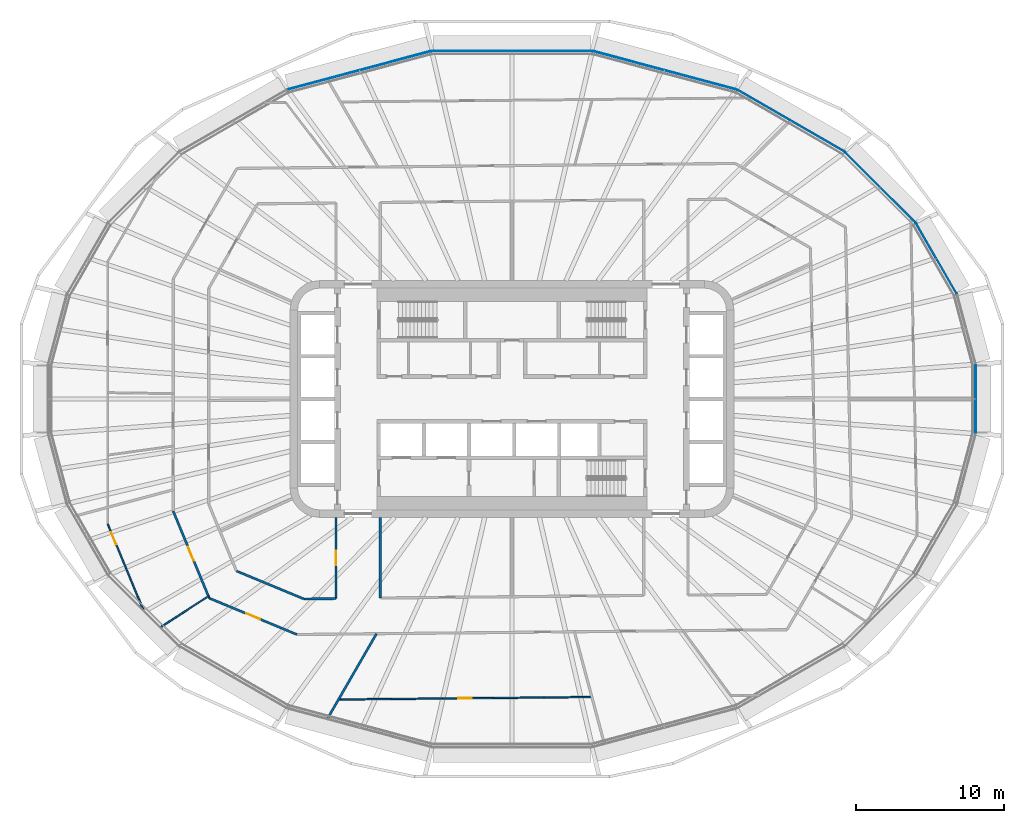
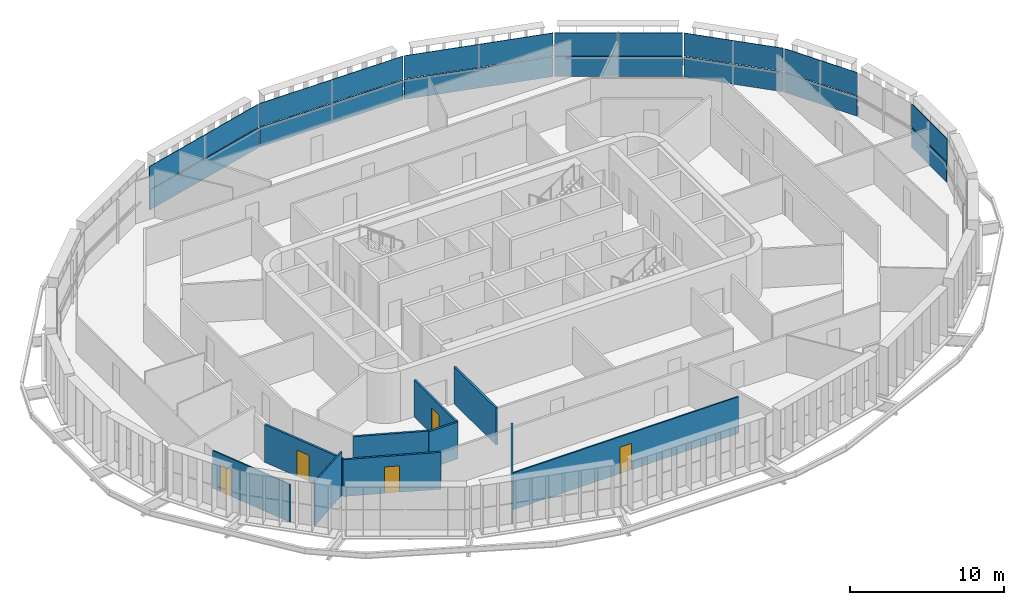
# One storey, part 11 of 23: 14 plates, 10 walls, 5 doors, 5 openings, 7 elements without a shape of their own.
"""IFC4 building model written with IfcOpenShell, lengths in metres."""

from ifc_helpers import new_model, si_unit, direction, frame, frame_2d, origin, place, context, subcontext, project, spatial, polyline, rectangle, outline, extrude, material, layer, layer_set, type_object, element, fill, aggregate, save


model = new_model("IFC4")

# Units and contexts
model_context = context("Model", 3, precision=1e-05, world=origin(), true_north=direction((0.0, 1.0)))
body_context = subcontext(model_context, "Body", "Model", "MODEL_VIEW")
ifc_project = project(units=[si_unit("LENGTHUNIT", "METRE"), si_unit("AREAUNIT", "SQUARE_METRE"), si_unit("VOLUMEUNIT", "CUBIC_METRE"), si_unit("PLANEANGLEUNIT", "RADIAN"), si_unit("MASSUNIT", "GRAM", prefix="KILO")], contexts=[model_context])

# Site, building, storey
site_placement = place(None, origin())
site = spatial("IfcSite", under=ifc_project, at=site_placement, CompositionType="ELEMENT")
building_placement = place(site_placement, origin())
building = spatial("IfcBuilding", under=site, at=building_placement, Name="Sahrelin Media Tower", CompositionType="ELEMENT")
storey_placement = place(building_placement, frame((0.0, 0.0, 161.60009765625)))
storey = spatial("IfcBuildingStorey", under=building, at=storey_placement, Name="L33", CompositionType="ELEMENT", Elevation=161.60009765625)

# Curtain wall, plate
ifc_material_1 = material(Name="Champagne anodised aluminium 6063-T6", Category="aluminium")
ifc_layer_1 = layer(ifc_material_1, 0.14990234375)
ifc_layer_set_1 = layer_set([ifc_layer_1], Name="Tower ribbon curtain wall")
curtain_wall_type = type_object("IfcCurtainWallType", Name="Tower ribbon curtain wall", PredefinedType="NOTDEFINED", material=ifc_layer_set_1)
curtain_wall_1_placement = place(storey_placement, frame((31.3515625, 0.0, 0.0), z_axis=(0.0, 0.0, 1.0), x_axis=(1.0, 0.0, 0.0)))
curtain_wall_1 = element("IfcCurtainWall", 1, at=curtain_wall_1_placement, inside=storey, type_object=curtain_wall_type, Name="L33:CW:L33-00", PredefinedType="NOTDEFINED")
ifc_material_2 = material(Name="Clear low-iron glazing", Category="glass")
ifc_layer_2 = layer(ifc_material_2, 0.0439453125)
ifc_layer_set_2 = layer_set([ifc_layer_2], Name="Glazing panel 44 mm CW1B")
plate_type_1 = type_object("IfcPlateType", Name="Glazing panel 44 mm CW1B", PredefinedType="CURTAIN_PANEL", material=ifc_layer_set_2)
plate_1_placement = place(storey_placement, frame((31.37158203125, -2.29296875, 1.6298828125), z_axis=(1.0, 0.0, 0.0), x_axis=(0.0, 1.0, 0.0)))
plate_1 = element("IfcPlate", 2, at=plate_1_placement, type_object=plate_type_1, Name="L33:CWP2:L33-00", PredefinedType="CURTAIN_PANEL", context=body_context, shape_type="SweptSolid", body=[
    extrude(outline(polyline([(0.0, 0.0), (4.5859375, 0.0), (4.5859375, 1.818603515625), (0.0, 1.818603515625), (0.0, 0.0)])), origin(), (0.0, 0.0, -1.0), 0.0439453125),
])

curtain_wall_2_placement = place(storey_placement, frame((28.689208984375, 9.490966796875, 0.0), z_axis=(0.0, 0.0, 1.0), x_axis=(1.0, 0.0, 0.0)))
curtain_wall_2 = element("IfcCurtainWall", 3, at=curtain_wall_2_placement, inside=storey, type_object=curtain_wall_type, Name="L33:CW:L33-02", PredefinedType="NOTDEFINED")
plate_2_placement = place(storey_placement, frame((30.075439453125, 7.1298828125, 1.6298828125), z_axis=(0.866034122891, 0.49998489776, 0.0), x_axis=(-0.49998489776, 0.866034122891, 0.0)))
plate_2 = element("IfcPlate", 4, at=plate_2_placement, type_object=plate_type_1, Name="L33:CWP2:L33-02", PredefinedType="CURTAIN_PANEL", context=body_context, shape_type="SweptSolid", body=[
    extrude(outline(polyline([(0.0, 0.0), (5.475830078125, 0.0), (5.475830078125, 1.818603515625), (0.0, 1.818603515625), (0.0, 0.0)])), origin(), (0.0, 0.0, -1.0), 0.0439453125),
])

curtain_wall_3_placement = place(storey_placement, frame((24.900634765625, 14.30029296875, 0.0), z_axis=(0.0, 0.0, 1.0), x_axis=(1.0, 0.0, 0.0)))
curtain_wall_3 = element("IfcCurtainWall", 5, at=curtain_wall_3_placement, inside=storey, type_object=curtain_wall_type, Name="L33:CW:L33-03", PredefinedType="NOTDEFINED")
plate_3_placement = place(storey_placement, frame((27.274169921875, 11.954833984375, 1.6298828125), z_axis=(0.707106781187, 0.707106781187, 0.0), x_axis=(-0.707106781187, 0.707106781187, 0.0)))
plate_3 = element("IfcPlate", 6, at=plate_3_placement, type_object=plate_type_1, Name="L33:CWP2:L33-03", PredefinedType="CURTAIN_PANEL", context=body_context, shape_type="SweptSolid", body=[
    extrude(outline(polyline([(0.0, 0.0), (6.67333984375, 0.0), (6.67333984375, 1.818603515625), (0.0, 1.818603515625), (0.0, 0.0)])), origin(), (0.0, 0.0, -1.0), 0.0439453125),
])

curtain_wall_4_placement = place(storey_placement, frame((18.85107421875, 18.804931640625, 0.0), z_axis=(0.0, 0.0, 1.0), x_axis=(1.0, 0.0, 0.0)))
curtain_wall_4 = element("IfcCurtainWall", 7, at=curtain_wall_4_placement, inside=storey, type_object=curtain_wall_type, Name="L33:CW:L33-04", PredefinedType="NOTDEFINED")
plate_4_placement = place(storey_placement, frame((22.472412109375, 16.7373046875, 1.6298828125), z_axis=(0.500002026074, 0.866024234027, 0.0), x_axis=(-0.866024234027, 0.500002026074, 0.0)))
plate_4 = element("IfcPlate", 8, at=plate_4_placement, type_object=plate_type_1, Name="L33:CWP2:L33-04", PredefinedType="CURTAIN_PANEL", context=body_context, shape_type="SweptSolid", body=[
    extrude(outline(polyline([(0.0, 0.0), (8.34033203125, 0.0), (8.34033203125, 1.818603515625), (0.0, 1.818603515625), (0.0, 0.0)])), origin(), (0.0, 0.0, -1.0), 0.0439453125),
])

curtain_wall_5_placement = place(storey_placement, frame((10.312255859375, 22.2236328125, 0.0), z_axis=(0.0, 0.0, 1.0), x_axis=(1.0, 0.0, 0.0)))
curtain_wall_5 = element("IfcCurtainWall", 9, at=curtain_wall_5_placement, inside=storey, type_object=curtain_wall_type, Name="L33:CW:L33-05", PredefinedType="NOTDEFINED")
plate_5_placement = place(storey_placement, frame((15.153076171875, 20.947509765625, 1.6298828125), z_axis=(0.258806775726, 0.965929113775, 0.0), x_axis=(-0.965929113775, 0.258806775726, 0.0)))
plate_5 = element("IfcPlate", 10, at=plate_5_placement, type_object=plate_type_1, Name="L33:CWP2:L33-05", PredefinedType="CURTAIN_PANEL", context=body_context, shape_type="SweptSolid", body=[
    extrude(outline(polyline([(0.0, 0.0), (10.012451171875, 0.0), (10.012451171875, 1.818603515625), (0.0, 1.818603515625), (0.0, 0.0)])), origin(), (0.0, 0.0, -1.0), 0.0439453125),
])

curtain_wall_6_placement = place(storey_placement, frame((0.0, 23.532470703125, 0.0), z_axis=(0.0, 0.0, 1.0), x_axis=(1.0, 0.0, 0.0)))
curtain_wall_6 = element("IfcCurtainWall", 11, at=curtain_wall_6_placement, inside=storey, type_object=curtain_wall_type, Name="L33:CW:L33-06", PredefinedType="NOTDEFINED")
plate_6_placement = place(storey_placement, frame((5.378173828125, 23.552490234375, 1.6298828125), z_axis=(0.0, 1.0, 0.0), x_axis=(-1.0, 0.0, 0.0)))
plate_6 = element("IfcPlate", 12, at=plate_6_placement, type_object=plate_type_1, Name="L33:CWP2:L33-06", PredefinedType="CURTAIN_PANEL", context=body_context, shape_type="SweptSolid", body=[
    extrude(outline(polyline([(0.0, 0.0), (10.75634765625, 0.0), (10.75634765625, 1.818603515625), (0.0, 1.818603515625), (0.0, 0.0)])), origin(), (0.0, 0.0, -1.0), 0.0439453125),
])

curtain_wall_7_placement = place(storey_placement, frame((-10.312255859375, 22.2236328125, 0.0), z_axis=(0.0, 0.0, 1.0), x_axis=(1.0, 0.0, 0.0)))
curtain_wall_7 = element("IfcCurtainWall", 13, at=curtain_wall_7_placement, inside=storey, type_object=curtain_wall_type, Name="L33:CW:L33-07", PredefinedType="NOTDEFINED")
plate_7_placement = place(storey_placement, frame((-5.481689453125, 23.538818359375, 1.6298828125), z_axis=(-0.258806775726, 0.965929113775, 0.0), x_axis=(-0.965929113775, -0.258806775726, 0.0)))
plate_7 = element("IfcPlate", 14, at=plate_7_placement, type_object=plate_type_1, Name="L33:CWP2:L33-07", PredefinedType="CURTAIN_PANEL", context=body_context, shape_type="SweptSolid", body=[
    extrude(outline(polyline([(0.0, 0.0), (10.012451171875, 0.0), (10.012451171875, 1.818603515625), (0.0, 1.818603515625), (0.0, 0.0)])), origin(), (0.0, 0.0, -1.0), 0.0439453125),
])

# Plate
ifc_material_3 = material(Name="Insulated spandrel panel")
ifc_layer_3 = layer(ifc_material_3, 0.06005859375)
ifc_layer_set_3 = layer_set([ifc_layer_3], Name="Spandrel panel 60 mm CW1")
plate_type_2 = type_object("IfcPlateType", Name="Spandrel panel 60 mm CW1", PredefinedType="SHEET", material=ifc_layer_set_3)
plate_8_placement = place(storey_placement, frame((31.37158203125, -2.29296875, 0.0), z_axis=(1.0, 0.0, 0.0), x_axis=(0.0, 1.0, 0.0)))
plate_8 = element("IfcPlate", 15, at=plate_8_placement, type_object=plate_type_2, Name="L33:CWP1:L33-00", PredefinedType="SHEET", context=body_context, shape_type="SweptSolid", body=[
    extrude(outline(polyline([(0.0, 0.0), (4.5859375, 0.0), (4.5859375, 1.56982421875), (0.0, 1.56982421875), (0.0, 0.0)])), origin(), (0.0, 0.0, -1.0), 0.06005859375),
])

aggregate(curtain_wall_1, [plate_8, plate_1])

plate_9_placement = place(storey_placement, frame((30.075439453125, 7.1298828125, 0.0), z_axis=(0.866034122891, 0.49998489776, 0.0), x_axis=(-0.49998489776, 0.866034122891, 0.0)))
plate_9 = element("IfcPlate", 16, at=plate_9_placement, type_object=plate_type_2, Name="L33:CWP1:L33-02", PredefinedType="SHEET", context=body_context, shape_type="SweptSolid", body=[
    extrude(outline(polyline([(0.0, 0.0), (5.475830078125, 0.0), (5.475830078125, 1.56982421875), (0.0, 1.56982421875), (0.0, 0.0)])), origin(), (0.0, 0.0, -1.0), 0.06005859375),
])

aggregate(curtain_wall_2, [plate_9, plate_2])

plate_10_placement = place(storey_placement, frame((27.274169921875, 11.954833984375, 0.0), z_axis=(0.707106781187, 0.707106781187, 0.0), x_axis=(-0.707106781187, 0.707106781187, 0.0)))
plate_10 = element("IfcPlate", 17, at=plate_10_placement, type_object=plate_type_2, Name="L33:CWP1:L33-03", PredefinedType="SHEET", context=body_context, shape_type="SweptSolid", body=[
    extrude(outline(polyline([(0.0, 0.0), (6.67333984375, 0.0), (6.67333984375, 1.56982421875), (0.0, 1.56982421875), (0.0, 0.0)])), origin(), (0.0, 0.0, -1.0), 0.06005859375),
])

aggregate(curtain_wall_3, [plate_10, plate_3])

plate_11_placement = place(storey_placement, frame((22.472412109375, 16.7373046875, 0.0), z_axis=(0.500002026074, 0.866024234027, 0.0), x_axis=(-0.866024234027, 0.500002026074, 0.0)))
plate_11 = element("IfcPlate", 18, at=plate_11_placement, type_object=plate_type_2, Name="L33:CWP1:L33-04", PredefinedType="SHEET", context=body_context, shape_type="SweptSolid", body=[
    extrude(outline(polyline([(0.0, 0.0), (8.34033203125, 0.0), (8.34033203125, 1.56982421875), (0.0, 1.56982421875), (0.0, 0.0)])), origin(), (0.0, 0.0, -1.0), 0.06005859375),
])

aggregate(curtain_wall_4, [plate_11, plate_4])

plate_12_placement = place(storey_placement, frame((15.153076171875, 20.947509765625, 0.0), z_axis=(0.258806775726, 0.965929113775, 0.0), x_axis=(-0.965929113775, 0.258806775726, 0.0)))
plate_12 = element("IfcPlate", 19, at=plate_12_placement, type_object=plate_type_2, Name="L33:CWP1:L33-05", PredefinedType="SHEET", context=body_context, shape_type="SweptSolid", body=[
    extrude(outline(polyline([(0.0, 0.0), (10.012451171875, 0.0), (10.012451171875, 1.56982421875), (0.0, 1.56982421875), (0.0, 0.0)])), origin(), (0.0, 0.0, -1.0), 0.06005859375),
])

aggregate(curtain_wall_5, [plate_12, plate_5])

plate_13_placement = place(storey_placement, frame((5.378173828125, 23.552490234375, 0.0), z_axis=(0.0, 1.0, 0.0), x_axis=(-1.0, 0.0, 0.0)))
plate_13 = element("IfcPlate", 20, at=plate_13_placement, type_object=plate_type_2, Name="L33:CWP1:L33-06", PredefinedType="SHEET", context=body_context, shape_type="SweptSolid", body=[
    extrude(outline(polyline([(0.0, 0.0), (10.75634765625, 0.0), (10.75634765625, 1.56982421875), (0.0, 1.56982421875), (0.0, 0.0)])), origin(), (0.0, 0.0, -1.0), 0.06005859375),
])

aggregate(curtain_wall_6, [plate_13, plate_6])

plate_14_placement = place(storey_placement, frame((-5.481689453125, 23.538818359375, 0.0), z_axis=(-0.258806775726, 0.965929113775, 0.0), x_axis=(-0.965929113775, -0.258806775726, 0.0)))
plate_14 = element("IfcPlate", 21, at=plate_14_placement, type_object=plate_type_2, Name="L33:CWP1:L33-07", PredefinedType="SHEET", context=body_context, shape_type="SweptSolid", body=[
    extrude(outline(polyline([(0.0, 0.0), (10.012451171875, 0.0), (10.012451171875, 1.56982421875), (0.0, 1.56982421875), (0.0, 0.0)])), origin(), (0.0, 0.0, -1.0), 0.06005859375),
])

aggregate(curtain_wall_7, [plate_14, plate_7])

# Wall, opening, door
ifc_material_4 = material(Name="Fire-rated gypsum board partition")
ifc_layer_4 = layer(ifc_material_4, 0.14990234375)
ifc_layer_set_4 = layer_set([ifc_layer_4], Name="Fire-rated partition 150")
wall_type_1 = type_object("IfcWallType", Name="Fire-rated partition 150", PredefinedType="PARTITIONING", material=ifc_layer_set_4)
wall_1_placement = place(storey_placement, frame((-22.89990234375, -7.572021484375, 0.0), z_axis=(0.0, 0.0, 1.0), x_axis=(0.382860357704, -0.923806227788, 0.0)))
wall_1 = element("IfcWall", 22, at=wall_1_placement, inside=storey, type_object=wall_type_1, Name="Wall", PredefinedType="PARTITIONING", context=body_context, shape_type="SweptSolid", body=[
    extrude(rectangle(XDim=6.37353515625, YDim=0.14990234375, at=frame_2d((3.186767578125, 0.0))), origin(), (0.0, 0.0, 1.0), 2.994873046875),
])
opening_1_placement = place(wall_1_placement, frame((2.63818359375, 0.0, 0.0)))
opening_1 = element("IfcOpeningElement", 23, at=opening_1_placement, cuts=wall_1, Name="Opening L33-D39", PredefinedType="OPENING", context=body_context, shape_type="SweptSolid", body=[
    extrude(rectangle(XDim=1.0, YDim=2.10009765625, at=frame_2d((0.5, 1.050048828125))), frame((0.0, 0.074951171875, 0.0), z_axis=(0.0, -1.0, 0.0), x_axis=(1.0, 0.0, 0.0)), (0.0, 0.0, 1.0), 0.14990234375),
])
ifc_material_5 = material(Name="Steel fire door leaf", Category="steel")
door_type_1 = type_object("IfcDoorType", Name="Fire door 1000 x 2100 EI 60", OperationType="NOTDEFINED", PredefinedType="DOOR", material=ifc_material_5)
door_1_placement = place(opening_1_placement, origin())
door_1 = element("IfcDoor", 24, at=door_1_placement, inside=storey, type_object=door_type_1, Name="Fire door", OperationType="SINGLE_SWING_LEFT", OverallHeight=2.10009765625, OverallWidth=1.0, PredefinedType="DOOR", context=body_context, shape_type="SweptSolid", body=[
    extrude(rectangle(XDim=1.0, YDim=2.10009765625, at=frame_2d((0.5, 1.050048828125))), frame((0.0, 0.02490234375, 0.0), z_axis=(0.0, -1.0, 0.0), x_axis=(1.0, 0.0, 0.0)), (0.0, 0.0, 1.0), 0.050048828125),
])
fill(opening_1, door_1)

wall_2_placement = place(storey_placement, frame((-20.4599609375, -13.4599609375, 0.0), z_axis=(0.0, 0.0, 1.0), x_axis=(0.923801547606, -0.382871650349, 0.0)))
wall_2 = element("IfcWall", 25, at=wall_2_placement, inside=storey, type_object=wall_type_1, Name="Wall", PredefinedType="PARTITIONING", context=body_context, shape_type="SweptSolid", body=[
    extrude(rectangle(XDim=6.414794921875, YDim=0.14990234375, at=frame_2d((3.20751953125, 0.0))), origin(), (0.0, 0.0, 1.0), 2.927001953125),
])
opening_2_placement = place(wall_2_placement, frame((2.70703125, 0.0, 0.0)))
opening_2 = element("IfcOpeningElement", 26, at=opening_2_placement, cuts=wall_2, Name="Opening L33-D40", PredefinedType="OPENING", context=body_context, shape_type="SweptSolid", body=[
    extrude(rectangle(XDim=1.0, YDim=2.10009765625, at=frame_2d((0.5, 1.050048828125))), frame((0.0, 0.074951171875, 0.0), z_axis=(0.0, -1.0, 0.0), x_axis=(1.0, 0.0, 0.0)), (0.0, 0.0, 1.0), 0.14990234375),
])
door_2_placement = place(opening_2_placement, origin())
door_2 = element("IfcDoor", 27, at=door_2_placement, inside=storey, type_object=door_type_1, Name="Fire door", OperationType="SINGLE_SWING_LEFT", OverallHeight=2.10009765625, OverallWidth=1.0, PredefinedType="DOOR", context=body_context, shape_type="SweptSolid", body=[
    extrude(rectangle(XDim=1.0, YDim=2.10009765625, at=frame_2d((0.5, 1.050048828125))), frame((0.0, 0.02490234375, 0.0), z_axis=(0.0, -1.0, 0.0), x_axis=(1.0, 0.0, 0.0)), (0.0, 0.0, 1.0), 0.050048828125),
])
fill(opening_2, door_2)

# Walls
wall_3_placement = place(storey_placement, frame((-18.623046875, -11.623046875, 0.0), z_axis=(0.0, 0.0, 1.0), x_axis=(0.923791670587, -0.38289548098, 0.0)))
element("IfcWall", 28, at=wall_3_placement, inside=storey, type_object=wall_type_1, Name="Wall", PredefinedType="PARTITIONING", context=body_context, shape_type="SweptSolid", body=[
    extrude(rectangle(XDim=4.9306640625, YDim=0.14990234375, at=frame_2d((2.46533203125, 0.0))), origin(), (0.0, 0.0, 1.0), 2.994873046875),
])
wall_4_placement = place(storey_placement, frame((-14.068115234375, -13.510986328125, 0.0), z_axis=(0.0, 0.0, 1.0), x_axis=(0.999950911515, 0.009908307647, 0.0)))
element("IfcWall", 29, at=wall_4_placement, inside=storey, type_object=wall_type_1, Name="Wall", PredefinedType="PARTITIONING", context=body_context, shape_type="SweptSolid", body=[
    extrude(rectangle(XDim=2.168212890625, YDim=0.14990234375, at=frame_2d((1.083984375, 0.0))), origin(), (0.0, 0.0, 1.0), 2.927001953125),
])
wall_5_placement = place(storey_placement, frame((-12.492919921875, -21.638916015625, 0.0), z_axis=(0.0, 0.0, 1.0), x_axis=(0.499985448992, 0.86603380465, 0.0)))
element("IfcWall", 30, at=wall_5_placement, inside=storey, type_object=wall_type_1, Name="Wall", PredefinedType="PARTITIONING", context=body_context, shape_type="SweptSolid", body=[
    extrude(rectangle(XDim=6.669677734375, YDim=0.14990234375, at=frame_2d((3.3349609375, 0.0))), origin(), (0.0, 0.0, 1.0), 3.301513671875),
])
wall_6_placement = place(storey_placement, frame((-8.89990234375, -13.448974609375, 0.0), z_axis=(0.0, 0.0, 1.0), x_axis=(0.0, 1.0, 0.0)))
element("IfcWall", 31, at=wall_6_placement, inside=storey, type_object=wall_type_1, Name="Wall", PredefinedType="PARTITIONING", context=body_context, shape_type="SweptSolid", body=[
    extrude(rectangle(XDim=5.448974609375, YDim=0.14990234375, at=frame_2d((2.724609375, 0.0))), origin(), (0.0, 0.0, 1.0), 2.927001953125),
])

# Wall, opening, door
wall_7_placement = place(storey_placement, frame((-11.89990234375, -13.489990234375, 0.0), z_axis=(0.0, 0.0, 1.0), x_axis=(0.0, 1.0, 0.0)))
wall_7 = element("IfcWall", 32, at=wall_7_placement, inside=storey, type_object=wall_type_1, Name="Wall", PredefinedType="PARTITIONING", context=body_context, shape_type="SweptSolid", body=[
    extrude(rectangle(XDim=5.489990234375, YDim=0.14990234375, at=frame_2d((2.7451171875, 0.0))), origin(), (0.0, 0.0, 1.0), 2.927001953125),
])
opening_3_placement = place(wall_7_placement, frame((2.2451171875, 0.0, 0.0)))
opening_3 = element("IfcOpeningElement", 33, at=opening_3_placement, cuts=wall_7, Name="Opening L33-D33", PredefinedType="OPENING", context=body_context, shape_type="SweptSolid", body=[
    extrude(rectangle(XDim=1.0, YDim=2.10009765625, at=frame_2d((0.5, 1.050048828125))), frame((0.0, 0.074951171875, 0.0), z_axis=(0.0, -1.0, 0.0), x_axis=(1.0, 0.0, 0.0)), (0.0, 0.0, 1.0), 0.14990234375),
])
door_3_placement = place(opening_3_placement, origin())
door_3 = element("IfcDoor", 34, at=door_3_placement, inside=storey, type_object=door_type_1, Name="Fire door", OperationType="SINGLE_SWING_LEFT", OverallHeight=2.10009765625, OverallWidth=1.0, PredefinedType="DOOR", context=body_context, shape_type="SweptSolid", body=[
    extrude(rectangle(XDim=1.0, YDim=2.10009765625, at=frame_2d((0.5, 1.050048828125))), frame((0.0, 0.02490234375, 0.0), z_axis=(0.0, -1.0, 0.0), x_axis=(1.0, 0.0, 0.0)), (0.0, 0.0, 1.0), 0.050048828125),
])
fill(opening_3, door_3)

ifc_material_6 = material(Name="Gypsum board partition")
ifc_layer_5 = layer(ifc_material_6, 0.10009765625)
ifc_layer_set_5 = layer_set([ifc_layer_5], Name="Partition 100")
wall_type_2 = type_object("IfcWallType", Name="Partition 100", PredefinedType="PARTITIONING", material=ifc_layer_set_5)
wall_8_placement = place(storey_placement, frame((-27.320068359375, -8.451904296875, 0.0), z_axis=(0.0, 0.0, 1.0), x_axis=(0.382847431698, -0.923811584709, 0.0)))
wall_8 = element("IfcWall", 35, at=wall_8_placement, inside=storey, type_object=wall_type_2, Name="Wall", PredefinedType="PARTITIONING", context=body_context, shape_type="SweptSolid", body=[
    extrude(rectangle(XDim=6.3369140625, YDim=0.10009765625, at=frame_2d((3.16845703125, 0.0))), origin(), (0.0, 0.0, 1.0), 2.994873046875),
])
opening_4_placement = place(wall_8_placement, frame((0.60009765625, 0.0, 0.0)))
opening_4 = element("IfcOpeningElement", 36, at=opening_4_placement, cuts=wall_8, Name="Opening L33-D41", PredefinedType="OPENING", context=body_context, shape_type="SweptSolid", body=[
    extrude(rectangle(XDim=0.89990234375, YDim=2.10009765625, at=frame_2d((0.449951171875, 1.050048828125))), frame((0.0, 0.050048828125, 0.0), z_axis=(0.0, -1.0, 0.0), x_axis=(1.0, 0.0, 0.0)), (0.0, 0.0, 1.0), 0.10009765625),
])
ifc_material_7 = material(Name="Timber door leaf", Category="wood")
door_type_2 = type_object("IfcDoorType", Name="Single door 900 x 2100", OperationType="NOTDEFINED", PredefinedType="DOOR", material=ifc_material_7)
door_4_placement = place(opening_4_placement, origin())
door_4 = element("IfcDoor", 37, at=door_4_placement, inside=storey, type_object=door_type_2, Name="Single door", OperationType="SINGLE_SWING_RIGHT", OverallHeight=2.10009765625, OverallWidth=0.89990234375, PredefinedType="DOOR", context=body_context, shape_type="SweptSolid", body=[
    extrude(rectangle(XDim=0.89990234375, YDim=2.10009765625, at=frame_2d((0.449951171875, 1.050048828125))), frame((0.0, 0.02490234375, 0.0), z_axis=(0.0, -1.0, 0.0), x_axis=(1.0, 0.0, 0.0)), (0.0, 0.0, 1.0), 0.050048828125),
])
fill(opening_4, door_4)

wall_9_placement = place(storey_placement, frame((-11.72509765625, -20.30908203125, 0.0), z_axis=(0.0, 0.0, 1.0), x_axis=(0.999951599065, 0.009838675042, 0.0)))
wall_9 = element("IfcWall", 38, at=wall_9_placement, inside=storey, type_object=wall_type_2, Name="Wall", PredefinedType="PARTITIONING", context=body_context, shape_type="SweptSolid", body=[
    extrude(rectangle(XDim=17.121826171875, YDim=0.10009765625, at=frame_2d((8.56103515625, 0.0))), origin(), (0.0, 0.0, 1.0), 2.927001953125),
])
opening_5_placement = place(wall_9_placement, frame((8.109130859375, 0.0, 0.0)))
opening_5 = element("IfcOpeningElement", 39, at=opening_5_placement, cuts=wall_9, Name="Opening L33-D43", PredefinedType="OPENING", context=body_context, shape_type="SweptSolid", body=[
    extrude(rectangle(XDim=0.89990234375, YDim=2.10009765625, at=frame_2d((0.449951171875, 1.050048828125))), frame((0.0, 0.050048828125, 0.0), z_axis=(0.0, -1.0, 0.0), x_axis=(1.0, 0.0, 0.0)), (0.0, 0.0, 1.0), 0.10009765625),
])
door_5_placement = place(opening_5_placement, origin())
door_5 = element("IfcDoor", 40, at=door_5_placement, inside=storey, type_object=door_type_2, Name="Single door", OperationType="SINGLE_SWING_LEFT", OverallHeight=2.10009765625, OverallWidth=0.89990234375, PredefinedType="DOOR", context=body_context, shape_type="SweptSolid", body=[
    extrude(rectangle(XDim=0.89990234375, YDim=2.10009765625, at=frame_2d((0.449951171875, 1.050048828125))), frame((0.0, 0.02490234375, 0.0), z_axis=(0.0, -1.0, 0.0), x_axis=(1.0, 0.0, 0.0)), (0.0, 0.0, 1.0), 0.050048828125),
])
fill(opening_5, door_5)

# Wall
wall_10_placement = place(storey_placement, frame((-23.76611328125, -15.43408203125, 0.0), z_axis=(0.0, 0.0, 1.0), x_axis=(0.838650885555, 0.544669342039, 0.0)))
element("IfcWall", 41, at=wall_10_placement, inside=storey, type_object=wall_type_2, Name="Wall", PredefinedType="PARTITIONING", context=body_context, shape_type="SweptSolid", body=[
    extrude(rectangle(XDim=3.8740234375, YDim=0.10009765625, at=frame_2d((1.93701171875, 0.0))), origin(), (0.0, 0.0, 1.0), 3.474853515625),
])

save(model, "model.ifc")
